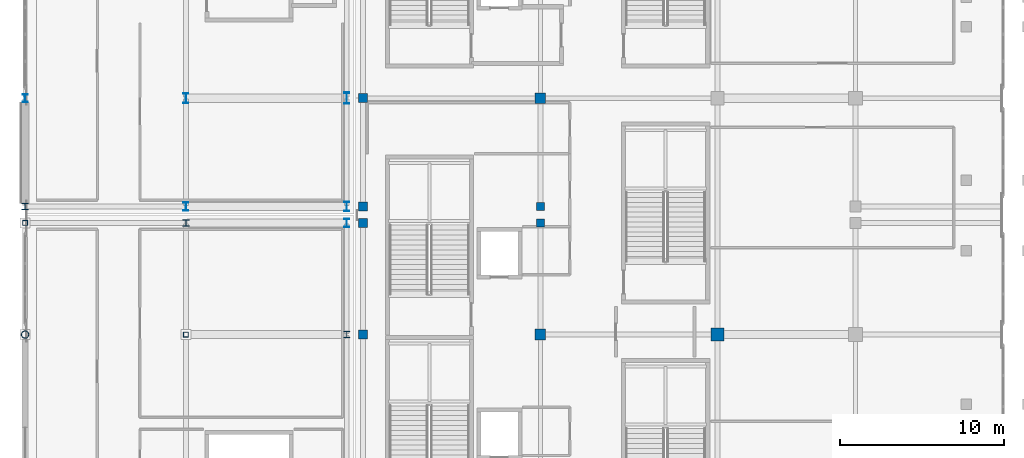
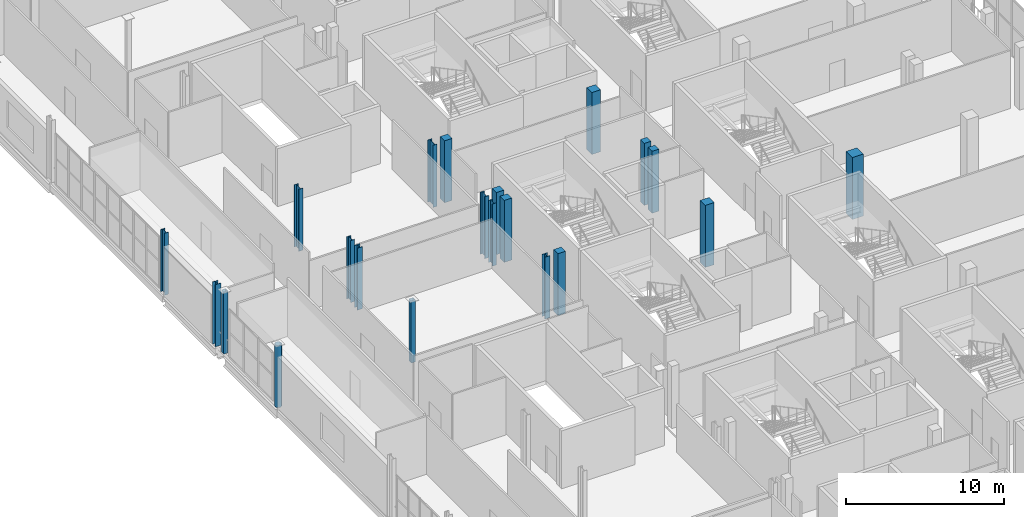
# One storey, part 5 of 142: 21 columns.
"""IFC4 building model written with IfcOpenShell, lengths in metres."""

from ifc_helpers import new_model, si_unit, direction, frame, origin, origin_2d, place, context, subcontext, project, spatial, rectangle, hollow_rectangle, hollow_circle, i_section, extrude, material, material_profile, profile_set, type_object, element, save


model = new_model("IFC4")

# Units and contexts
model_context = context("Model", 3, precision=1e-05, world=origin(), true_north=direction((0.0, 1.0)))
body_context = subcontext(model_context, "Body", "Model", "MODEL_VIEW")
ifc_project = project(units=[si_unit("LENGTHUNIT", "METRE"), si_unit("AREAUNIT", "SQUARE_METRE"), si_unit("VOLUMEUNIT", "CUBIC_METRE"), si_unit("PLANEANGLEUNIT", "RADIAN"), si_unit("MASSUNIT", "GRAM", prefix="KILO")], contexts=[model_context])

# Site, building, storey
site_placement = place(None, origin())
site = spatial("IfcSite", under=ifc_project, at=site_placement, CompositionType="ELEMENT")
building_placement = place(site_placement, origin())
building = spatial("IfcBuilding", under=site, at=building_placement, Name="Koshinbarg Plaza Stadium", CompositionType="ELEMENT")
storey_placement = place(building_placement, frame((0.0, 0.0, 10.199951171875)))
storey = spatial("IfcBuildingStorey", under=building, at=storey_placement, Name="L02", CompositionType="ELEMENT", Elevation=10.199951171875)

# Columns
ifc_material_1 = material(Name="Concrete C40/50", Category="concrete")
ifc_material_profile_1 = material_profile(ifc_material_1, rectangle(XDim=0.5, YDim=0.5, at=origin_2d()), Name="RC 500x500")
ifc_profile_set_1 = profile_set([ifc_material_profile_1], Name="Concrete C40/50")
column_type_1 = type_object("IfcColumnType", Name="COL-RC-02", PredefinedType="COLUMN", material=ifc_profile_set_1)
for number, where, z_axis, x_axis, name in (
    (1, (35.39990234375, 75.5, 0.0), (0.0, 0.0, 1.0), (1.0, 0.0, 0.0), "L02 column 6/K"),
    (2, (35.39990234375, 76.5, 0.0), (0.0, 0.0, 1.0), (1.0, 0.0, 0.0), "L02 column 6/L"),
):
    element("IfcColumn", number, at=place(storey_placement, frame(where, z_axis=z_axis, x_axis=x_axis)), inside=storey, type_object=column_type_1, Name=name, PredefinedType="COLUMN", context=body_context, shape_type="SweptSolid", body=[
        extrude(rectangle(XDim=0.5, YDim=0.5, at=origin_2d()), origin(), (0.0, 0.0, 1.0), 4.800048828125),
    ])
ifc_material_profile_2 = material_profile(ifc_material_1, rectangle(XDim=0.550048828125, YDim=0.550048828125, at=origin_2d()), Name="RC 550x550")
ifc_profile_set_2 = profile_set([ifc_material_profile_2], Name="Concrete C40/50")
column_type_2 = type_object("IfcColumnType", Name="COL-RC-03", PredefinedType="COLUMN", material=ifc_profile_set_2)
for number, where, z_axis, x_axis, name in (
    (3, (24.60009765625, 68.699951171875, 0.0), (0.0, 0.0, 1.0), (1.0, 0.0, 0.0), "L02 column 5/J"),
    (4, (24.60009765625, 75.5, 0.0), (0.0, 0.0, 1.0), (1.0, 0.0, 0.0), "L02 column 5/K"),
    (5, (24.60009765625, 76.5, 0.0), (0.0, 0.0, 1.0), (1.0, 0.0, 0.0), "L02 column 5/L"),
    (6, (24.60009765625, 83.10009765625, 0.0), (0.0, 0.0, 1.0), (1.0, 0.0, 0.0), "L02 column 5/M"),
):
    element("IfcColumn", number, at=place(storey_placement, frame(where, z_axis=z_axis, x_axis=x_axis)), inside=storey, type_object=column_type_2, Name=name, PredefinedType="COLUMN", context=body_context, shape_type="SweptSolid", body=[
        extrude(rectangle(XDim=0.550048828125, YDim=0.550048828125, at=origin_2d()), origin(), (0.0, 0.0, 1.0), 4.800048828125),
    ])
ifc_material_profile_3 = material_profile(ifc_material_1, rectangle(XDim=0.64990234375, YDim=0.64990234375, at=origin_2d()), Name="RC 650x650")
ifc_profile_set_3 = profile_set([ifc_material_profile_3], Name="Concrete C40/50")
column_type_3 = type_object("IfcColumnType", Name="COL-RC-05", PredefinedType="COLUMN", material=ifc_profile_set_3)
for number, where, z_axis, x_axis, name in (
    (7, (35.39990234375, 68.699951171875, 0.0), (0.0, 0.0, 1.0), (1.0, 0.0, 0.0), "L02 column 6/J"),
    (8, (35.39990234375, 83.10009765625, 0.0), (0.0, 0.0, 1.0), (1.0, 0.0, 0.0), "L02 column 6/M"),
):
    element("IfcColumn", number, at=place(storey_placement, frame(where, z_axis=z_axis, x_axis=x_axis)), inside=storey, type_object=column_type_3, Name=name, PredefinedType="COLUMN", context=body_context, shape_type="SweptSolid", body=[
        extrude(rectangle(XDim=0.64990234375, YDim=0.64990234375, at=origin_2d()), origin(), (0.0, 0.0, 1.0), 4.800048828125),
    ])
ifc_material_profile_4 = material_profile(ifc_material_1, rectangle(XDim=0.800048828125, YDim=0.800048828125, at=origin_2d()), Name="RC 800x800")
ifc_profile_set_4 = profile_set([ifc_material_profile_4], Name="Concrete C40/50")
column_type_4 = type_object("IfcColumnType", Name="COL-RC-08", PredefinedType="COLUMN", material=ifc_profile_set_4)
column_1_placement = place(storey_placement, frame((46.199951171875, 68.699951171875, 0.0), z_axis=(0.0, 0.0, 1.0), x_axis=(1.0, 0.0, 0.0)))
element("IfcColumn", 9, at=column_1_placement, inside=storey, type_object=column_type_4, Name="L02 column 7/J", PredefinedType="COLUMN", context=body_context, shape_type="SweptSolid", body=[
    extrude(rectangle(XDim=0.800048828125, YDim=0.800048828125, at=origin_2d()), origin(), (0.0, 0.0, 1.0), 4.800048828125),
])
ifc_material_2 = material(Name="Steel S355", Category="steel")
ifc_material_profile_5 = material_profile(ifc_material_2, i_section(OverallWidth=0.39501953125, OverallDepth=0.3798828125, WebThickness=0.018798828125, FlangeThickness=0.0302734375, at=origin_2d()), Name="HD 400x237")
ifc_profile_set_5 = profile_set([ifc_material_profile_5], Name="Steel S355")
column_type_5 = type_object("IfcColumnType", Name="COL-STL-01", PredefinedType="COLUMN", material=ifc_profile_set_5)
for number, where, z_axis, x_axis, name in (
    (10, (4.0, 76.5, 0.0), (0.0, 0.0, 1.0), (1.0, 0.0, 0.0), "L02 column 2/L"),
    (11, (13.800048828125, 75.5, 0.0), (0.0, 0.0, 1.0), (1.0, 0.0, 0.0), "L02 column 3/K"),
    (12, (23.60009765625, 68.699951171875, 0.0), (0.0, 0.0, 1.0), (1.0, 0.0, 0.0), "L02 column 4/J"),
):
    element("IfcColumn", number, at=place(storey_placement, frame(where, z_axis=z_axis, x_axis=x_axis)), inside=storey, type_object=column_type_5, Name=name, PredefinedType="COLUMN", context=body_context, shape_type="SweptSolid", body=[
        extrude(i_section(OverallWidth=0.39501953125, OverallDepth=0.3798828125, WebThickness=0.018798828125, FlangeThickness=0.0302734375, at=origin_2d()), origin(), (0.0, 0.0, 1.0), 4.800048828125),
    ])
ifc_material_profile_6 = material_profile(ifc_material_2, i_section(OverallWidth=0.300048828125, OverallDepth=0.5, WebThickness=0.014404296875, FlangeThickness=0.028076171875, at=origin_2d()), Name="HEB 500")
ifc_profile_set_6 = profile_set([ifc_material_profile_6], Name="Steel S355")
column_type_6 = type_object("IfcColumnType", Name="COL-STL-02", PredefinedType="COLUMN", material=ifc_profile_set_6)
for number, where, z_axis, x_axis, name in (
    (13, (4.0, 83.10009765625, 0.0), (0.0, 0.0, 1.0), (1.0, 0.0, 0.0), "L02 column 2/M"),
    (14, (13.800048828125, 76.5, 0.0), (0.0, 0.0, 1.0), (1.0, 0.0, 0.0), "L02 column 3/L"),
    (15, (23.60009765625, 75.5, 0.0), (0.0, 0.0, 1.0), (1.0, 0.0, 0.0), "L02 column 4/K"),
):
    element("IfcColumn", number, at=place(storey_placement, frame(where, z_axis=z_axis, x_axis=x_axis)), inside=storey, type_object=column_type_6, Name=name, PredefinedType="COLUMN", context=body_context, shape_type="SweptSolid", body=[
        extrude(i_section(OverallWidth=0.300048828125, OverallDepth=0.5, WebThickness=0.014404296875, FlangeThickness=0.028076171875, at=origin_2d()), origin(), (0.0, 0.0, 1.0), 4.800048828125),
    ])
ifc_material_profile_7 = material_profile(ifc_material_2, i_section(OverallWidth=0.300048828125, OverallDepth=0.60009765625, WebThickness=0.015380859375, FlangeThickness=0.030029296875, at=origin_2d()), Name="HEB 600")
ifc_profile_set_7 = profile_set([ifc_material_profile_7], Name="Steel S355")
column_type_7 = type_object("IfcColumnType", Name="COL-STL-03", PredefinedType="COLUMN", material=ifc_profile_set_7)
for number, where, z_axis, x_axis, name in (
    (16, (13.800048828125, 83.10009765625, 0.0), (0.0, 0.0, 1.0), (1.0, 0.0, 0.0), "L02 column 3/M"),
    (17, (23.60009765625, 76.5, 0.0), (0.0, 0.0, 1.0), (1.0, 0.0, 0.0), "L02 column 4/L"),
):
    element("IfcColumn", number, at=place(storey_placement, frame(where, z_axis=z_axis, x_axis=x_axis)), inside=storey, type_object=column_type_7, Name=name, PredefinedType="COLUMN", context=body_context, shape_type="SweptSolid", body=[
        extrude(i_section(OverallWidth=0.300048828125, OverallDepth=0.60009765625, WebThickness=0.015380859375, FlangeThickness=0.030029296875, at=origin_2d()), origin(), (0.0, 0.0, 1.0), 4.800048828125),
    ])
ifc_material_profile_8 = material_profile(ifc_material_2, i_section(OverallWidth=0.300048828125, OverallDepth=0.699951171875, WebThickness=0.01708984375, FlangeThickness=0.031982421875, at=origin_2d()), Name="HEB 700")
ifc_profile_set_8 = profile_set([ifc_material_profile_8], Name="Steel S355")
column_type_8 = type_object("IfcColumnType", Name="COL-STL-04", PredefinedType="COLUMN", material=ifc_profile_set_8)
column_2_placement = place(storey_placement, frame((23.60009765625, 83.10009765625, 0.0), z_axis=(0.0, 0.0, 1.0), x_axis=(1.0, 0.0, 0.0)))
element("IfcColumn", 18, at=column_2_placement, inside=storey, type_object=column_type_8, Name="L02 column 4/M", PredefinedType="COLUMN", context=body_context, shape_type="SweptSolid", body=[
    extrude(i_section(OverallWidth=0.300048828125, OverallDepth=0.699951171875, WebThickness=0.01708984375, FlangeThickness=0.031982421875, at=origin_2d()), origin(), (0.0, 0.0, 1.0), 4.800048828125),
])
ifc_material_profile_9 = material_profile(ifc_material_2, hollow_circle(Radius=0.228515625, WallThickness=0.02001953125, at=origin_2d()), Name="CHS 457x20")
ifc_profile_set_9 = profile_set([ifc_material_profile_9], Name="Steel S355")
column_type_9 = type_object("IfcColumnType", Name="COL-STL-05", PredefinedType="COLUMN", material=ifc_profile_set_9)
column_3_placement = place(storey_placement, frame((4.0, 68.699951171875, 0.0), z_axis=(0.0, 0.0, 1.0), x_axis=(1.0, 0.0, 0.0)))
element("IfcColumn", 19, at=column_3_placement, inside=storey, type_object=column_type_9, Name="L02 column 2/J", PredefinedType="COLUMN", context=body_context, shape_type="SweptSolid", body=[
    extrude(hollow_circle(Radius=0.228515625, WallThickness=0.02001953125, at=origin_2d()), origin(), (0.0, 0.0, 1.0), 4.800048828125),
])
ifc_material_profile_10 = material_profile(ifc_material_2, hollow_rectangle(XDim=0.300048828125, YDim=0.300048828125, WallThickness=0.01611328125, at=origin_2d()), Name="SHS 300x300x16")
ifc_profile_set_10 = profile_set([ifc_material_profile_10], Name="Steel S355")
column_type_10 = type_object("IfcColumnType", Name="COL-STL-06", PredefinedType="COLUMN", material=ifc_profile_set_10)
for number, where, z_axis, x_axis, name in (
    (20, (4.0, 75.5, 0.0), (0.0, 0.0, 1.0), (1.0, 0.0, 0.0), "L02 column 2/K"),
    (21, (13.800048828125, 68.699951171875, 0.0), (0.0, 0.0, 1.0), (1.0, 0.0, 0.0), "L02 column 3/J"),
):
    element("IfcColumn", number, at=place(storey_placement, frame(where, z_axis=z_axis, x_axis=x_axis)), inside=storey, type_object=column_type_10, Name=name, PredefinedType="COLUMN", context=body_context, shape_type="SweptSolid", body=[
        extrude(hollow_rectangle(XDim=0.300048828125, YDim=0.300048828125, WallThickness=0.01611328125, at=origin_2d()), origin(), (0.0, 0.0, 1.0), 4.800048828125),
    ])

save(model, "model.ifc")
